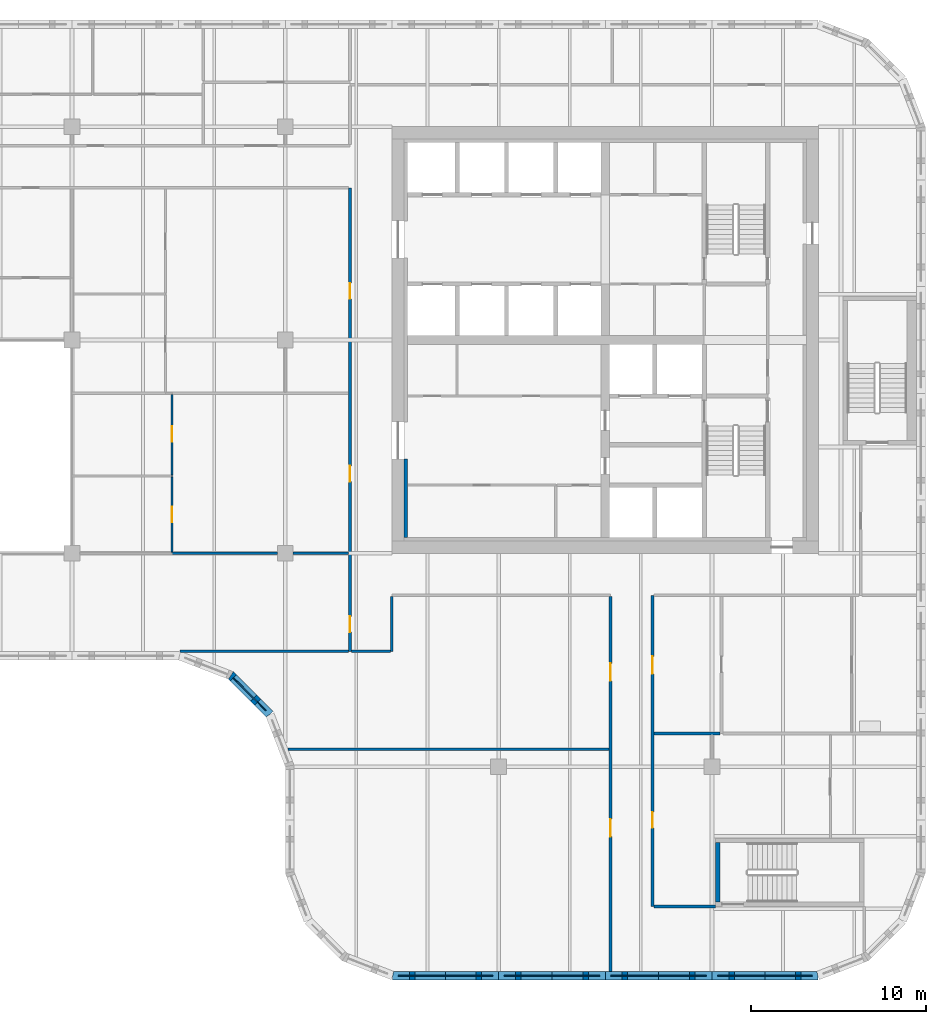
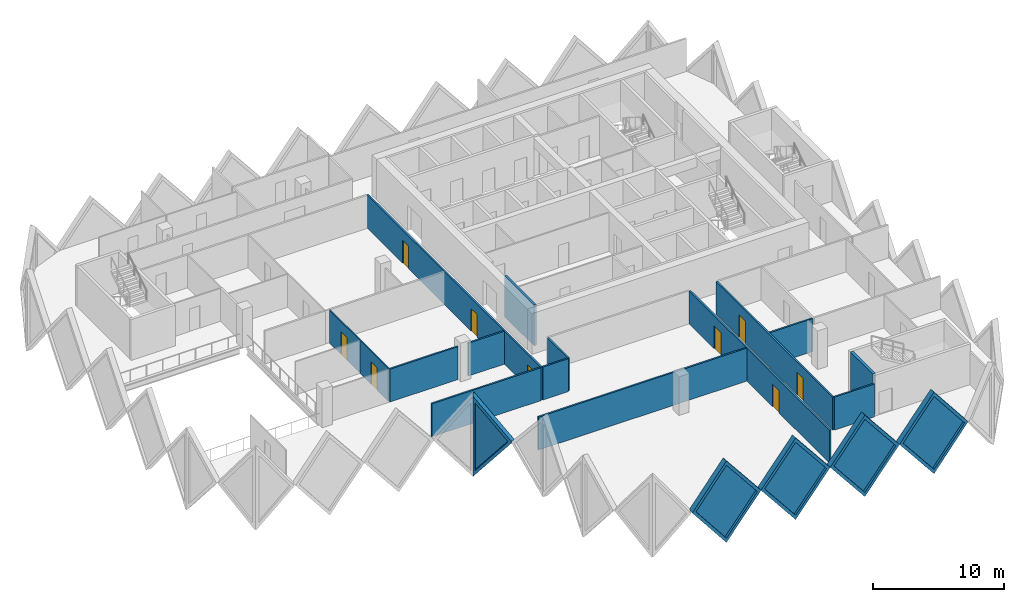
# One storey, part 4 of 13: 20 walls, 9 doors, 5 plates, 14 openings.
"""IFC4 building model written with IfcOpenShell, lengths in metres."""

from ifc_helpers import new_model, si_unit, direction, frame, frame_2d, origin, place, context, subcontext, project, spatial, polyline, rectangle, outline, extrude, faceted_brep, source, transform, mapped, material, layer, layer_set, type_object, element, fill, save


model = new_model("IFC4")

# Units and contexts
model_context = context("Model", 3, precision=1e-05, world=origin(), true_north=direction((0.0, 1.0)))
body_context = subcontext(model_context, "Body", "Model", "MODEL_VIEW")
ifc_project = project(units=[si_unit("LENGTHUNIT", "METRE"), si_unit("AREAUNIT", "SQUARE_METRE"), si_unit("VOLUMEUNIT", "CUBIC_METRE"), si_unit("PLANEANGLEUNIT", "RADIAN"), si_unit("MASSUNIT", "GRAM", prefix="KILO")], contexts=[model_context])

# Site, building, storey
site_placement = place(None, origin())
site = spatial("IfcSite", under=ifc_project, at=site_placement, CompositionType="ELEMENT")
building_placement = place(site_placement, origin())
building = spatial("IfcBuilding", under=site, at=building_placement, Name="Tessera Gate Towers", CompositionType="ELEMENT")
storey_placement = place(building_placement, frame((0.0, 0.0, 131.60009765625)))
storey = spatial("IfcBuildingStorey", under=building, at=storey_placement, Name="L32", CompositionType="ELEMENT", Elevation=131.60009765625)

# Walls
ifc_material_1 = material(Name="Concrete C40/50", Category="concrete")
ifc_layer_1 = layer(ifc_material_1, 0.25)
ifc_layer_set_1 = layer_set([ifc_layer_1], Name="CORE ENCLOSURE WALL 250")
wall_type_1 = type_object("IfcWallType", Name="CORE ENCLOSURE WALL 250", PredefinedType="SOLIDWALL", material=ifc_layer_set_1)
wall_1_placement = place(storey_placement, frame((49.125, 4.449951171875, 0.0), z_axis=(0.0, 0.0, 1.0), x_axis=(0.0, 1.0, 0.0)))
element("IfcWall", 1, at=wall_1_placement, inside=storey, type_object=wall_type_1, Name="L32 ST4 enclosure wall", PredefinedType="SOLIDWALL", context=body_context, shape_type="SweptSolid", body=[
    extrude(rectangle(XDim=3.400146484375, YDim=0.25, at=frame_2d((1.7001953125, 0.0))), origin(), (0.0, 0.0, 1.0), 3.7998046875),
])
ifc_material_2 = material(Name="Concrete C60/75", Category="concrete")
ifc_layer_2 = layer(ifc_material_2, 0.199951171875)
ifc_layer_set_2 = layer_set([ifc_layer_2], Name="CORE WALL THICKENING 200")
wall_type_2 = type_object("IfcWallType", Name="CORE WALL THICKENING 200", PredefinedType="SOLIDWALL", material=ifc_layer_set_2)
wall_2_placement = place(storey_placement, frame((31.300048828125, 25.300048828125, 0.0), z_axis=(0.0, 0.0, 1.0), x_axis=(0.0, 1.0, 0.0)))
element("IfcWall", 2, at=wall_2_placement, inside=storey, type_object=wall_type_2, Name="Core wall thickening W L32", PredefinedType="SOLIDWALL", context=body_context, shape_type="SweptSolid", body=[
    extrude(rectangle(XDim=4.5, YDim=0.199951171875, at=frame_2d((2.25, 0.0))), origin(), (0.0, 0.0, 1.0), 3.7998046875),
])

# Wall, openings, doors
ifc_material_3 = material(Name="Gypsum board on steel studs, mineral wool", Category="steel")
ifc_layer_3 = layer(ifc_material_3, 0.14990234375)
ifc_layer_set_3 = layer_set([ifc_layer_3], Name="CORRIDOR WALL 150")
wall_type_3 = type_object("IfcWallType", Name="CORRIDOR WALL 150", PredefinedType="PARTITIONING", material=ifc_layer_set_3)
wall_3_placement = place(storey_placement, frame((43.0, 0.5, 0.0), z_axis=(0.0, 0.0, 1.0), x_axis=(0.0, 1.0, 0.0)))
wall_3 = element("IfcWall", 3, at=wall_3_placement, inside=storey, type_object=wall_type_3, Name="T1-L32-PW-001", PredefinedType="PARTITIONING", context=body_context, shape_type="SweptSolid", body=[
    extrude(rectangle(XDim=21.424072265625, YDim=0.14990234375, at=frame_2d((10.7119140625, 0.0))), origin(), (0.0, 0.0, 1.0), 3.06689453125),
])
shared_shape_1 = source(origin(), body_context, "Body", "SweptSolid", [
    extrude(rectangle(XDim=1.0, YDim=2.10009765625, at=frame_2d((0.5, 1.050048828125))), frame((0.0, 0.0849609375, 0.0), z_axis=(0.0, -1.0, 0.0), x_axis=(1.0, 0.0, 0.0)), (0.0, 0.0, 1.0), 0.169921875),
])
opening_1_placement = place(wall_3_placement, frame((16.60107421875, 0.0, 0.0)))
opening_1 = element("IfcOpeningElement", 4, at=opening_1_placement, cuts=wall_3, Name="Opening D2100FD60-A11-02", PredefinedType="OPENING", context=body_context, shape_type="MappedRepresentation", body=[
    mapped(shared_shape_1, transform((0.0, 0.0, 0.0), scale=1.0)),
])
opening_2_placement = place(wall_3_placement, frame((7.699951171875, 0.0, 0.0)))
opening_2 = element("IfcOpeningElement", 5, at=opening_2_placement, cuts=wall_3, Name="Opening D2100FD60-A11-03", PredefinedType="OPENING", context=body_context, shape_type="MappedRepresentation", body=[
    mapped(shared_shape_1, transform((0.0, 0.0, 0.0), scale=1.0)),
])
ifc_material_4 = material(Name="Timber door leaf in steel frame", Category="steel")
door_type_1 = type_object("IfcDoorType", Name="TENANCY ENTRANCE DOOR 1000 FD60", OperationType="NOTDEFINED", PredefinedType="DOOR", material=ifc_material_4)
shared_shape_2 = source(origin(), body_context, "Body", "SweptSolid", [
    extrude(rectangle(XDim=1.0, YDim=2.10009765625, at=frame_2d((0.5, 1.050048828125))), frame((0.0, 0.02490234375, 0.0), z_axis=(0.0, -1.0, 0.0), x_axis=(1.0, 0.0, 0.0)), (0.0, 0.0, 1.0), 0.050048828125),
])
door_1_placement = place(opening_1_placement, origin())
door_1 = element("IfcDoor", 6, at=door_1_placement, inside=storey, type_object=door_type_1, Name="T1-L32-PD-018", OperationType="SINGLE_SWING_LEFT", OverallHeight=2.10009765625, OverallWidth=1.0, PredefinedType="DOOR", context=body_context, shape_type="MappedRepresentation", body=[
    mapped(shared_shape_2, transform((0.0, 0.0, 0.0), scale=1.0)),
])
fill(opening_1, door_1)
door_2_placement = place(opening_2_placement, origin())
door_2 = element("IfcDoor", 7, at=door_2_placement, inside=storey, type_object=door_type_1, Name="T1-L32-PD-019", OperationType="SINGLE_SWING_LEFT", OverallHeight=2.10009765625, OverallWidth=1.0, PredefinedType="DOOR", context=body_context, shape_type="MappedRepresentation", body=[
    mapped(shared_shape_2, transform((0.0, 0.0, 0.0), scale=1.0)),
])
fill(opening_2, door_2)

wall_4_placement = place(storey_placement, frame((45.39990234375, 22.0, 0.0), z_axis=(0.0, 0.0, 1.0), x_axis=(0.0, -1.0, 0.0)))
wall_4 = element("IfcWall", 8, at=wall_4_placement, inside=storey, type_object=wall_type_3, Name="T1-L32-PW-003", PredefinedType="PARTITIONING", context=body_context, shape_type="SweptSolid", body=[
    extrude(rectangle(XDim=17.800048828125, YDim=0.14990234375, at=frame_2d((8.89990234375, 0.0))), origin(), (0.0, 0.0, 1.0), 3.06689453125),
])
opening_3_placement = place(wall_4_placement, frame((3.4990234375, 0.0, 0.0)))
opening_3 = element("IfcOpeningElement", 9, at=opening_3_placement, cuts=wall_4, Name="Opening D2100FD60-A11-01", PredefinedType="OPENING", context=body_context, shape_type="MappedRepresentation", body=[
    mapped(shared_shape_1, transform((0.0, 0.0, 0.0), scale=1.0)),
])
shared_shape_3 = source(origin(), body_context, "Body", "SweptSolid", [
    extrude(rectangle(XDim=0.89990234375, YDim=2.10009765625, at=frame_2d((0.449951171875, 1.050048828125))), frame((0.0, 0.0849609375, 0.0), z_axis=(0.0, -1.0, 0.0), x_axis=(1.0, 0.0, 0.0)), (0.0, 0.0, 1.0), 0.169921875),
])
opening_4_placement = place(wall_4_placement, frame((12.39990234375, 0.0, 0.0)))
opening_4 = element("IfcOpeningElement", 10, at=opening_4_placement, cuts=wall_4, Name="Opening D890FD60-A11-05", PredefinedType="OPENING", context=body_context, shape_type="MappedRepresentation", body=[
    mapped(shared_shape_3, transform((0.0, 0.0, 0.0), scale=1.0)),
])
ifc_material_5 = material(Name="Timber door leaf in steel frame", Category="steel")
door_type_2 = type_object("IfcDoorType", Name="CORRIDOR DOOR 900 FD60", OperationType="NOTDEFINED", PredefinedType="DOOR", material=ifc_material_5)
shared_shape_4 = source(origin(), body_context, "Body", "SweptSolid", [
    extrude(rectangle(XDim=0.89990234375, YDim=2.10009765625, at=frame_2d((0.449951171875, 1.050048828125))), frame((0.0, 0.02490234375, 0.0), z_axis=(0.0, -1.0, 0.0), x_axis=(1.0, 0.0, 0.0)), (0.0, 0.0, 1.0), 0.050048828125),
])
door_3_placement = place(opening_4_placement, origin())
door_3 = element("IfcDoor", 11, at=door_3_placement, inside=storey, type_object=door_type_2, Name="T1-L32-PD-021", OperationType="SINGLE_SWING_RIGHT", OverallHeight=2.10009765625, OverallWidth=0.89990234375, PredefinedType="DOOR", context=body_context, shape_type="MappedRepresentation", body=[
    mapped(shared_shape_4, transform((0.0, 0.0, 0.0), scale=1.0)),
])
fill(opening_4, door_3)
door_4_placement = place(opening_3_placement, origin())
door_4 = element("IfcDoor", 12, at=door_4_placement, inside=storey, type_object=door_type_1, Name="T1-L32-PD-014", OperationType="SINGLE_SWING_RIGHT", OverallHeight=2.10009765625, OverallWidth=1.0, PredefinedType="DOOR", context=body_context, shape_type="MappedRepresentation", body=[
    mapped(shared_shape_2, transform((0.0, 0.0, 0.0), scale=1.0)),
])
fill(opening_3, door_4)

# Wall
wall_5_placement = place(storey_placement, frame((45.47607421875, 4.199951171875, 0.0), z_axis=(0.0, 0.0, 1.0), x_axis=(1.0, 0.0, 0.0)))
element("IfcWall", 13, at=wall_5_placement, inside=storey, type_object=wall_type_3, Name="T1-L32-PW-004", PredefinedType="PARTITIONING", context=body_context, shape_type="SweptSolid", body=[
    extrude(rectangle(XDim=3.52392578125, YDim=0.14990234375, at=frame_2d((1.761962890625, 0.0))), origin(), (0.0, 0.0, 1.0), 3.06689453125),
])

# Wall, openings, doors
wall_6_placement = place(storey_placement, frame((28.10009765625, 18.800048828125, 0.0), z_axis=(0.0, 0.0, 1.0), x_axis=(0.0, 1.0, 0.0)))
wall_6 = element("IfcWall", 14, at=wall_6_placement, inside=storey, type_object=wall_type_3, Name="T1-L32-PW-013", PredefinedType="PARTITIONING", context=body_context, shape_type="SweptSolid", body=[
    extrude(rectangle(XDim=26.5, YDim=0.14990234375, at=frame_2d((13.25, 0.0))), origin(), (0.0, 0.0, 1.0), 3.06689453125),
])
opening_5_placement = place(wall_6_placement, frame((1.10009765625, 0.0, 0.0)))
opening_5 = element("IfcOpeningElement", 15, at=opening_5_placement, cuts=wall_6, Name="Opening D890FD60-A11-01", PredefinedType="OPENING", context=body_context, shape_type="MappedRepresentation", body=[
    mapped(shared_shape_3, transform((0.0, 0.0, 0.0), scale=1.0)),
])
opening_6_placement = place(wall_6_placement, frame((9.699951171875, 0.0, 0.0)))
opening_6 = element("IfcOpeningElement", 16, at=opening_6_placement, cuts=wall_6, Name="Opening D890FD60-A11-04", PredefinedType="OPENING", context=body_context, shape_type="MappedRepresentation", body=[
    mapped(shared_shape_3, transform((0.0, 0.0, 0.0), scale=1.0)),
])
opening_7_placement = place(wall_6_placement, frame((20.14990234375, 0.0, 0.0)))
opening_7 = element("IfcOpeningElement", 17, at=opening_7_placement, cuts=wall_6, Name="Opening D890FD60-A11-06", PredefinedType="OPENING", context=body_context, shape_type="MappedRepresentation", body=[
    mapped(shared_shape_3, transform((0.0, 0.0, 0.0), scale=1.0)),
])
door_5_placement = place(opening_5_placement, origin())
door_5 = element("IfcDoor", 18, at=door_5_placement, inside=storey, type_object=door_type_2, Name="T1-L32-PD-001", OperationType="SINGLE_SWING_LEFT", OverallHeight=2.10009765625, OverallWidth=0.89990234375, PredefinedType="DOOR", context=body_context, shape_type="MappedRepresentation", body=[
    mapped(shared_shape_4, transform((0.0, 0.0, 0.0), scale=1.0)),
])
fill(opening_5, door_5)
door_6_placement = place(opening_6_placement, origin())
door_6 = element("IfcDoor", 19, at=door_6_placement, inside=storey, type_object=door_type_2, Name="T1-L32-PD-020", OperationType="SINGLE_SWING_LEFT", OverallHeight=2.10009765625, OverallWidth=0.89990234375, PredefinedType="DOOR", context=body_context, shape_type="MappedRepresentation", body=[
    mapped(shared_shape_4, transform((0.0, 0.0, 0.0), scale=1.0)),
])
fill(opening_6, door_6)
door_7_placement = place(opening_7_placement, origin())
door_7 = element("IfcDoor", 20, at=door_7_placement, inside=storey, type_object=door_type_2, Name="T1-L32-PD-022", OperationType="SINGLE_SWING_LEFT", OverallHeight=2.10009765625, OverallWidth=0.89990234375, PredefinedType="DOOR", context=body_context, shape_type="MappedRepresentation", body=[
    mapped(shared_shape_4, transform((0.0, 0.0, 0.0), scale=1.0)),
])
fill(opening_7, door_7)

# Walls
wall_7_placement = place(storey_placement, frame((28.176025390625, 18.800048828125, 0.0), z_axis=(0.0, 0.0, 1.0), x_axis=(1.0, 0.0, 0.0)))
element("IfcWall", 21, at=wall_7_placement, inside=storey, type_object=wall_type_3, Name="T1-L32-PW-014", PredefinedType="PARTITIONING", context=body_context, shape_type="SweptSolid", body=[
    extrude(rectangle(XDim=2.248046875, YDim=0.14990234375, at=frame_2d((1.1240234375, 0.0))), origin(), (0.0, 0.0, 1.0), 3.06689453125),
])
wall_8_placement = place(storey_placement, frame((30.5, 18.800048828125, 0.0), z_axis=(0.0, 0.0, 1.0), x_axis=(0.0, 1.0, 0.0)))
element("IfcWall", 22, at=wall_8_placement, inside=storey, type_object=wall_type_3, Name="T1-L32-PW-015", PredefinedType="PARTITIONING", context=body_context, shape_type="SweptSolid", body=[
    extrude(rectangle(XDim=3.1240234375, YDim=0.14990234375, at=frame_2d((1.56201171875, 0.0))), origin(), (0.0, 0.0, 1.0), 3.06689453125),
])

# Wall, opening, door
ifc_material_6 = material(Name="Glass", Category="glass")
ifc_layer_4 = layer(ifc_material_6, 0.10009765625)
ifc_layer_set_4 = layer_set([ifc_layer_4], Name="GLAZED PARTITION 100")
wall_type_4 = type_object("IfcWallType", Name="GLAZED PARTITION 100", PredefinedType="PARTITIONING", material=ifc_layer_set_4)
wall_9_placement = place(storey_placement, frame((17.925048828125, 24.47607421875, 0.0), z_axis=(0.0, 0.0, 1.0), x_axis=(0.0, 1.0, 0.0)))
wall_9 = element("IfcWall", 23, at=wall_9_placement, inside=storey, type_object=wall_type_4, Name="T1-L32-PW-024", PredefinedType="PARTITIONING", context=body_context, shape_type="SweptSolid", body=[
    extrude(rectangle(XDim=4.293212890625, YDim=0.10009765625, at=frame_2d((2.146484375, 0.0))), origin(), (0.0, 0.0, 1.0), 3.06689453125),
])
shared_shape_5 = source(origin(), body_context, "Body", "SweptSolid", [
    extrude(rectangle(XDim=0.89990234375, YDim=2.10009765625, at=frame_2d((0.449951171875, 1.050048828125))), frame((0.0, 0.06005859375, 0.0), z_axis=(0.0, -1.0, 0.0), x_axis=(1.0, 0.0, 0.0)), (0.0, 0.0, 1.0), 0.1201171875),
])
opening_8_placement = place(wall_9_placement, frame((1.699951171875, 0.0, 0.0)))
opening_8 = element("IfcOpeningElement", 24, at=opening_8_placement, cuts=wall_9, Name="Opening D690-A11-01", PredefinedType="OPENING", context=body_context, shape_type="MappedRepresentation", body=[
    mapped(shared_shape_5, transform((0.0, 0.0, 0.0), scale=1.0)),
])
ifc_material_7 = material(Name="Glass in aluminium frame", Category="aluminium")
door_type_3 = type_object("IfcDoorType", Name="GLAZED DOOR 900 NOT RATED", OperationType="NOTDEFINED", PredefinedType="DOOR", material=ifc_material_7)
door_8_placement = place(opening_8_placement, origin())
door_8 = element("IfcDoor", 25, at=door_8_placement, inside=storey, type_object=door_type_3, Name="T1-L32-PD-002", OperationType="SINGLE_SWING_LEFT", OverallHeight=2.10009765625, OverallWidth=0.89990234375, PredefinedType="DOOR", context=body_context, shape_type="MappedRepresentation", body=[
    mapped(shared_shape_4, transform((0.0, 0.0, 0.0), scale=1.0)),
])
fill(opening_8, door_8)

wall_10_placement = place(storey_placement, frame((17.925048828125, 28.871337890625, 0.0), z_axis=(0.0, 0.0, 1.0), x_axis=(0.0, 1.0, 0.0)))
wall_10 = element("IfcWall", 26, at=wall_10_placement, inside=storey, type_object=wall_type_4, Name="T1-L32-PW-026", PredefinedType="PARTITIONING", context=body_context, shape_type="SweptSolid", body=[
    extrude(rectangle(XDim=4.602783203125, YDim=0.10009765625, at=frame_2d((2.30126953125, 0.0))), origin(), (0.0, 0.0, 1.0), 3.06689453125),
])
opening_9_placement = place(wall_10_placement, frame((1.89990234375, 0.0, 0.0)))
opening_9 = element("IfcOpeningElement", 27, at=opening_9_placement, cuts=wall_10, Name="Opening D690-A11-02", PredefinedType="OPENING", context=body_context, shape_type="MappedRepresentation", body=[
    mapped(shared_shape_5, transform((0.0, 0.0, 0.0), scale=1.0)),
])
door_9_placement = place(opening_9_placement, origin())
door_9 = element("IfcDoor", 28, at=door_9_placement, inside=storey, type_object=door_type_3, Name="T1-L32-PD-003", OperationType="SINGLE_SWING_LEFT", OverallHeight=2.10009765625, OverallWidth=0.89990234375, PredefinedType="DOOR", context=body_context, shape_type="MappedRepresentation", body=[
    mapped(shared_shape_4, transform((0.0, 0.0, 0.0), scale=1.0)),
])
fill(opening_9, door_9)

# Walls
ifc_material_8 = material(Name="Gypsum board on steel studs, mineral wool", Category="steel")
ifc_layer_5 = layer(ifc_material_8, 0.14990234375)
ifc_layer_set_5 = layer_set([ifc_layer_5], Name="TENANCY WALL 150")
wall_type_5 = type_object("IfcWallType", Name="TENANCY WALL 150", PredefinedType="PARTITIONING", material=ifc_layer_set_5)
wall_11_placement = place(storey_placement, frame((24.55029296875, 13.199951171875, 0.0), z_axis=(0.0, 0.0, 1.0), x_axis=(1.0, 0.0, 0.0)))
element("IfcWall", 29, at=wall_11_placement, inside=storey, type_object=wall_type_5, Name="T1-L32-PW-007", PredefinedType="PARTITIONING", context=body_context, shape_type="SweptSolid", body=[
    extrude(rectangle(XDim=18.373779296875, YDim=0.14990234375, at=frame_2d((9.18701171875, 0.0))), origin(), (0.0, 0.0, 1.0), 3.06689453125),
])
wall_12_placement = place(storey_placement, frame((45.47607421875, 14.10009765625, 0.0), z_axis=(0.0, 0.0, 1.0), x_axis=(1.0, 0.0, 0.0)))
element("IfcWall", 30, at=wall_12_placement, inside=storey, type_object=wall_type_5, Name="T1-L32-PW-008", PredefinedType="PARTITIONING", context=body_context, shape_type="SweptSolid", body=[
    extrude(rectangle(XDim=3.7978515625, YDim=0.14990234375, at=frame_2d((1.89892578125, 0.0))), origin(), (0.0, 0.0, 1.0), 3.06689453125),
])
wall_13_placement = place(storey_placement, frame((18.39306640625, 18.800048828125, 0.0), z_axis=(0.0, 0.0, 1.0), x_axis=(1.0, 0.0, 0.0)))
element("IfcWall", 31, at=wall_13_placement, inside=storey, type_object=wall_type_5, Name="T1-L32-PW-012", PredefinedType="PARTITIONING", context=body_context, shape_type="SweptSolid", body=[
    extrude(rectangle(XDim=9.630859375, YDim=0.14990234375, at=frame_2d((4.8154296875, 0.0))), origin(), (0.0, 0.0, 1.0), 3.06689453125),
])
wall_14_placement = place(storey_placement, frame((17.925048828125, 24.39990234375, 0.0), z_axis=(0.0, 0.0, 1.0), x_axis=(1.0, 0.0, 0.0)))
element("IfcWall", 32, at=wall_14_placement, inside=storey, type_object=wall_type_5, Name="T1-L32-PW-022", PredefinedType="PARTITIONING", context=body_context, shape_type="SweptSolid", body=[
    extrude(rectangle(XDim=6.02392578125, YDim=0.14990234375, at=frame_2d((3.011962890625, 0.0))), origin(), (0.0, 0.0, 1.0), 3.06689453125),
])
wall_15_placement = place(storey_placement, frame((24.85107421875, 24.39990234375, 0.0), z_axis=(0.0, 0.0, 1.0), x_axis=(1.0, 0.0, 0.0)))
element("IfcWall", 33, at=wall_15_placement, inside=storey, type_object=wall_type_5, Name="T1-L32-PW-023", PredefinedType="PARTITIONING", context=body_context, shape_type="SweptSolid", body=[
    extrude(rectangle(XDim=3.1728515625, YDim=0.14990234375, at=frame_2d((1.58642578125, 0.0))), origin(), (0.0, 0.0, 1.0), 3.06689453125),
])

# Wall, opening, plate
ifc_material_9 = material(Name="Precast concrete C60/75 white", Category="concrete")
ifc_layer_6 = layer(ifc_material_9, 0.5)
ifc_layer_set_6 = layer_set([ifc_layer_6], Name="TS1 tessera")
wall_type_6 = type_object("IfcWallType", Name="TS1 tessera", PredefinedType="SOLIDWALL", material=ifc_layer_set_6)
shared_shape_6 = source(origin(), body_context, "Body", "Brep", [
    faceted_brep([(3.00341796875, -0.25, 0.0), (6.053466796875, -0.25, 3.800048828125), (3.00341796875, -0.25, 7.599853515625), (0.0, -0.25, 3.800048828125), (0.046630859375, 0.25, 3.85888671875), (3.00341796875, 0.25, 7.599853515625), (6.053466796875, 0.25, 3.800048828125), (3.00341796875, 0.25, 0.0), (0.046630859375, 0.25, 3.7412109375), (0.0, 0.0, 3.800048828125)], [[[0, 1, 2, 3]], [[4, 5, 6, 7, 8]], [[7, 6, 1, 0]], [[6, 5, 2, 1]], [[5, 4, 9, 3, 2]], [[8, 7, 0, 3, 9]], [[8, 9, 4]]]),
])
wall_16_placement = place(storey_placement, frame((30.546630859375, 0.25, -3.800048828125), z_axis=(0.0, 0.0, 1.0), x_axis=(1.0, 0.0, 0.0)))
wall_16 = element("IfcWall", 34, at=wall_16_placement, inside=storey, type_object=wall_type_6, Name="Precast tessera T1 TS1-0529", PredefinedType="SOLIDWALL", context=body_context, shape_type="MappedRepresentation", body=[
    mapped(shared_shape_6, transform((0.0, 0.0, 0.0), scale=1.0)),
])
shared_shape_7 = source(origin(), body_context, "Body", "SweptSolid", [
    extrude(outline(polyline([(3.0048828125, 0.401123046875), (5.73291015625, 3.800048828125), (3.0048828125, 7.19873046875), (0.318603515625, 3.800048828125), (3.0048828125, 0.401123046875)])), frame((0.0, 0.260009765625, 0.0), z_axis=(0.0, -1.0, 0.0), x_axis=(1.0, 0.0, 0.0)), (0.0, 0.0, 1.0), 0.52001953125),
])
opening_10_placement = place(wall_16_placement, origin())
opening_10 = element("IfcOpeningElement", 35, at=opening_10_placement, cuts=wall_16, Name="Opening T1-PL2-1081", PredefinedType="OPENING", context=body_context, shape_type="MappedRepresentation", body=[
    mapped(shared_shape_7, transform((0.0, 0.0, 0.0), scale=1.0)),
])
ifc_material_10 = material(Name="Low-e laminated glass", Category="glass")
ifc_layer_7 = layer(ifc_material_10, 0.06005859375)
ifc_layer_set_7 = layer_set([ifc_layer_7], Name="PL2 rhombic pane")
plate_type = type_object("IfcPlateType", Name="PL2 rhombic pane", PredefinedType="SHEET", material=ifc_layer_set_7)
shared_shape_8 = source(origin(), body_context, "Body", "SweptSolid", [
    extrude(outline(polyline([(3.0048828125, 0.401123046875), (5.73291015625, 3.800048828125), (3.0048828125, 7.19873046875), (0.318603515625, 3.800048828125), (3.0048828125, 0.401123046875)])), frame((0.0, 0.030029296875, 0.0), z_axis=(0.0, -1.0, 0.0), x_axis=(1.0, 0.0, 0.0)), (0.0, 0.0, 1.0), 0.06005859375),
])
plate_1_placement = place(opening_10_placement, origin())
plate_1 = element("IfcPlate", 36, at=plate_1_placement, inside=storey, type_object=plate_type, Name="Glass pane T1 PL2-1081", PredefinedType="SHEET", context=body_context, shape_type="MappedRepresentation", body=[
    mapped(shared_shape_8, transform((0.0, 0.0, 0.0), scale=1.0)),
])
fill(opening_10, plate_1)

shared_shape_9 = source(origin(), body_context, "Body", "Brep", [
    faceted_brep([(3.050048828125, -0.25, 0.0), (6.099853515625, -0.25, 3.7998046875), (6.099853515625, -0.25, 3.80029296875), (3.050048828125, -0.25, 7.599853515625), (0.0, -0.25, 3.800048828125), (0.0, 0.25, 3.800048828125), (3.050048828125, 0.25, 7.599853515625), (6.099853515625, 0.25, 3.80029296875), (6.099853515625, 0.25, 3.7998046875), (3.050048828125, 0.25, 0.0)], [[[0, 1, 2, 3, 4]], [[5, 6, 7, 8, 9]], [[9, 8, 1, 0]], [[7, 6, 3, 2]], [[6, 5, 4, 3]], [[5, 9, 0, 4]], [[1, 8, 7, 2]]]),
])
wall_17_placement = place(storey_placement, frame((36.60009765625, 0.25, -3.800048828125), z_axis=(0.0, 0.0, 1.0), x_axis=(1.0, 0.0, 0.0)))
wall_17 = element("IfcWall", 37, at=wall_17_placement, inside=storey, type_object=wall_type_6, Name="Precast tessera T1 TS1-0530", PredefinedType="SOLIDWALL", context=body_context, shape_type="MappedRepresentation", body=[
    mapped(shared_shape_9, transform((0.0, 0.0, 0.0), scale=1.0)),
])
shared_shape_10 = source(origin(), body_context, "Body", "SweptSolid", [
    extrude(outline(polyline([(3.050048828125, 0.3994140625), (5.779541015625, 3.800048828125), (3.050048828125, 7.200439453125), (0.320556640625, 3.800048828125), (3.050048828125, 0.3994140625)])), frame((0.0, 0.260009765625, 0.0), z_axis=(0.0, -1.0, 0.0), x_axis=(1.0, 0.0, 0.0)), (0.0, 0.0, 1.0), 0.52001953125),
])
opening_11_placement = place(wall_17_placement, origin())
opening_11 = element("IfcOpeningElement", 38, at=opening_11_placement, cuts=wall_17, Name="Opening T1-PL2-1082", PredefinedType="OPENING", context=body_context, shape_type="MappedRepresentation", body=[
    mapped(shared_shape_10, transform((0.0, 0.0, 0.0), scale=1.0)),
])
shared_shape_11 = source(origin(), body_context, "Body", "SweptSolid", [
    extrude(outline(polyline([(3.050048828125, 0.3994140625), (5.779541015625, 3.800048828125), (3.050048828125, 7.200439453125), (0.320556640625, 3.800048828125), (3.050048828125, 0.3994140625)])), frame((0.0, 0.030029296875, 0.0), z_axis=(0.0, -1.0, 0.0), x_axis=(1.0, 0.0, 0.0)), (0.0, 0.0, 1.0), 0.06005859375),
])
plate_2_placement = place(opening_11_placement, origin())
plate_2 = element("IfcPlate", 39, at=plate_2_placement, inside=storey, type_object=plate_type, Name="Glass pane T1 PL2-1082", PredefinedType="SHEET", context=body_context, shape_type="MappedRepresentation", body=[
    mapped(shared_shape_11, transform((0.0, 0.0, 0.0), scale=1.0)),
])
fill(opening_11, plate_2)

shared_shape_12 = source(origin(), body_context, "Body", "SweptSolid", [
    extrude(outline(polyline([(3.050048828125, 0.0), (6.10009765625, 3.800048828125), (3.050048828125, 7.599853515625), (0.0, 3.800048828125), (3.050048828125, 0.0)])), frame((0.0, 0.25, 0.0), z_axis=(0.0, -1.0, 0.0), x_axis=(1.0, 0.0, 0.0)), (0.0, 0.0, 1.0), 0.5),
])
wall_18_placement = place(storey_placement, frame((42.699951171875, 0.25, -3.800048828125), z_axis=(0.0, 0.0, 1.0), x_axis=(1.0, 0.0, 0.0)))
wall_18 = element("IfcWall", 40, at=wall_18_placement, inside=storey, type_object=wall_type_6, Name="Precast tessera T1 TS1-0531", PredefinedType="SOLIDWALL", context=body_context, shape_type="MappedRepresentation", body=[
    mapped(shared_shape_12, transform((0.0, 0.0, 0.0), scale=1.0)),
])
opening_12_placement = place(wall_18_placement, origin())
opening_12 = element("IfcOpeningElement", 41, at=opening_12_placement, cuts=wall_18, Name="Opening T1-PL2-1083", PredefinedType="OPENING", context=body_context, shape_type="MappedRepresentation", body=[
    mapped(shared_shape_10, transform((0.0, 0.0, 0.0), scale=1.0)),
])
plate_3_placement = place(opening_12_placement, origin())
plate_3 = element("IfcPlate", 42, at=plate_3_placement, inside=storey, type_object=plate_type, Name="Glass pane T1 PL2-1083", PredefinedType="SHEET", context=body_context, shape_type="MappedRepresentation", body=[
    mapped(shared_shape_11, transform((0.0, 0.0, 0.0), scale=1.0)),
])
fill(opening_12, plate_3)

shared_shape_13 = source(origin(), body_context, "Body", "Brep", [
    faceted_brep([(3.050048828125, -0.25, 0.0), (6.053466796875, -0.25, 3.800048828125), (3.050048828125, -0.25, 7.599853515625), (0.0, -0.25, 3.800048828125), (0.0, 0.25, 3.800048828125), (3.050048828125, 0.25, 7.599853515625), (6.0068359375, 0.25, 3.85888671875), (6.0068359375, 0.25, 3.7412109375), (3.050048828125, 0.25, 0.0), (6.053466796875, 0.0, 3.800048828125)], [[[0, 1, 2, 3]], [[4, 5, 6, 7, 8]], [[8, 7, 9, 1, 0]], [[6, 5, 2, 1, 9]], [[5, 4, 3, 2]], [[4, 8, 0, 3]], [[7, 6, 9]]]),
])
wall_19_placement = place(storey_placement, frame((48.800048828125, 0.25, -3.800048828125), z_axis=(0.0, 0.0, 1.0), x_axis=(1.0, 0.0, 0.0)))
wall_19 = element("IfcWall", 43, at=wall_19_placement, inside=storey, type_object=wall_type_6, Name="Precast tessera T1 TS1-0532", PredefinedType="SOLIDWALL", context=body_context, shape_type="MappedRepresentation", body=[
    mapped(shared_shape_13, transform((0.0, 0.0, 0.0), scale=1.0)),
])
shared_shape_14 = source(origin(), body_context, "Body", "SweptSolid", [
    extrude(outline(polyline([(3.048583984375, 0.401123046875), (5.73486328125, 3.800048828125), (3.048583984375, 7.19873046875), (0.320556640625, 3.800048828125), (3.048583984375, 0.401123046875)])), frame((0.0, 0.260009765625, 0.0), z_axis=(0.0, -1.0, 0.0), x_axis=(1.0, 0.0, 0.0)), (0.0, 0.0, 1.0), 0.52001953125),
])
opening_13_placement = place(wall_19_placement, origin())
opening_13 = element("IfcOpeningElement", 44, at=opening_13_placement, cuts=wall_19, Name="Opening T1-PL2-1084", PredefinedType="OPENING", context=body_context, shape_type="MappedRepresentation", body=[
    mapped(shared_shape_14, transform((0.0, 0.0, 0.0), scale=1.0)),
])
shared_shape_15 = source(origin(), body_context, "Body", "SweptSolid", [
    extrude(outline(polyline([(3.048583984375, 0.401123046875), (5.73486328125, 3.800048828125), (3.048583984375, 7.19873046875), (0.320556640625, 3.800048828125), (3.048583984375, 0.401123046875)])), frame((0.0, 0.030029296875, 0.0), z_axis=(0.0, -1.0, 0.0), x_axis=(1.0, 0.0, 0.0)), (0.0, 0.0, 1.0), 0.06005859375),
])
plate_4_placement = place(opening_13_placement, origin())
plate_4 = element("IfcPlate", 45, at=plate_4_placement, inside=storey, type_object=plate_type, Name="Glass pane T1 PL2-1084", PredefinedType="SHEET", context=body_context, shape_type="MappedRepresentation", body=[
    mapped(shared_shape_15, transform((0.0, 0.0, 0.0), scale=1.0)),
])
fill(opening_13, plate_4)

ifc_material_11 = material(Name="Precast concrete C60/75 white", Category="concrete")
ifc_layer_8 = layer(ifc_material_11, 0.5)
ifc_layer_set_8 = layer_set([ifc_layer_8], Name="TS3 corner tessera")
wall_type_7 = type_object("IfcWallType", Name="TS3 corner tessera", PredefinedType="SOLIDWALL", material=ifc_layer_set_8)
shared_shape_16 = source(origin(), body_context, "Body", "Brep", [
    faceted_brep([(0.10595703125, -0.25, 0.063720703125), (3.156005859375, -0.25, 3.736328125), (3.156005859375, -0.25, 3.86376953125), (0.10595703125, -0.25, 7.5361328125), (0.0, 0.25, 7.535888671875), (0.052978515625, 0.25, 7.599853515625), (3.208740234375, 0.25, 3.800048828125), (0.052978515625, 0.25, 0.0), (0.0, 0.25, 0.06396484375), (3.208740234375, -0.00048828125, 3.800048828125), (0.052978515625, 0.0, 0.0), (0.052978515625, 0.0, 7.599853515625)], [[[0, 1, 2, 3]], [[4, 5, 6, 7, 8]], [[7, 6, 9, 1, 0, 10]], [[6, 5, 11, 3, 2, 9]], [[5, 4, 11]], [[8, 7, 10]], [[8, 10, 0, 3, 11, 4]], [[1, 9, 2]]]),
])
wall_20_placement = place(storey_placement, frame((21.24755859375, 17.453857421875, -3.800048828125), z_axis=(0.0, 0.0, 1.0), x_axis=(0.707106781187, -0.707106781187, 0.0)))
wall_20 = element("IfcWall", 46, at=wall_20_placement, inside=storey, type_object=wall_type_7, Name="Precast corner tessera T1 TS3-0738", PredefinedType="SOLIDWALL", context=body_context, shape_type="MappedRepresentation", body=[
    mapped(shared_shape_16, transform((0.0, 0.0, 0.0), scale=1.0)),
])
shared_shape_17 = source(origin(), body_context, "Body", "SweptSolid", [
    extrude(outline(polyline([(0.2529296875, 0.632080078125), (2.8837890625, 3.800048828125), (0.2529296875, 6.9677734375), (0.2529296875, 0.632080078125)])), frame((0.0, 0.260009765625, 0.0), z_axis=(0.0, -1.0, 0.0), x_axis=(1.0, 0.0, 0.0)), (0.0, 0.0, 1.0), 0.52001953125),
])
opening_14_placement = place(wall_20_placement, origin())
opening_14 = element("IfcOpeningElement", 47, at=opening_14_placement, cuts=wall_20, Name="Opening T1-PL2-1121", PredefinedType="OPENING", context=body_context, shape_type="MappedRepresentation", body=[
    mapped(shared_shape_17, transform((0.0, 0.0, 0.0), scale=1.0)),
])
shared_shape_18 = source(origin(), body_context, "Body", "SweptSolid", [
    extrude(outline(polyline([(0.2529296875, 0.632080078125), (2.8837890625, 3.800048828125), (0.2529296875, 6.9677734375), (0.2529296875, 0.632080078125)])), frame((0.0, 0.030029296875, 0.0), z_axis=(0.0, -1.0, 0.0), x_axis=(1.0, 0.0, 0.0)), (0.0, 0.0, 1.0), 0.06005859375),
])
plate_5_placement = place(opening_14_placement, origin())
plate_5 = element("IfcPlate", 48, at=plate_5_placement, inside=storey, type_object=plate_type, Name="Glass pane T1 PL2-1121", PredefinedType="SHEET", context=body_context, shape_type="MappedRepresentation", body=[
    mapped(shared_shape_18, transform((0.0, 0.0, 0.0), scale=1.0)),
])
fill(opening_14, plate_5)

save(model, "model.ifc")
